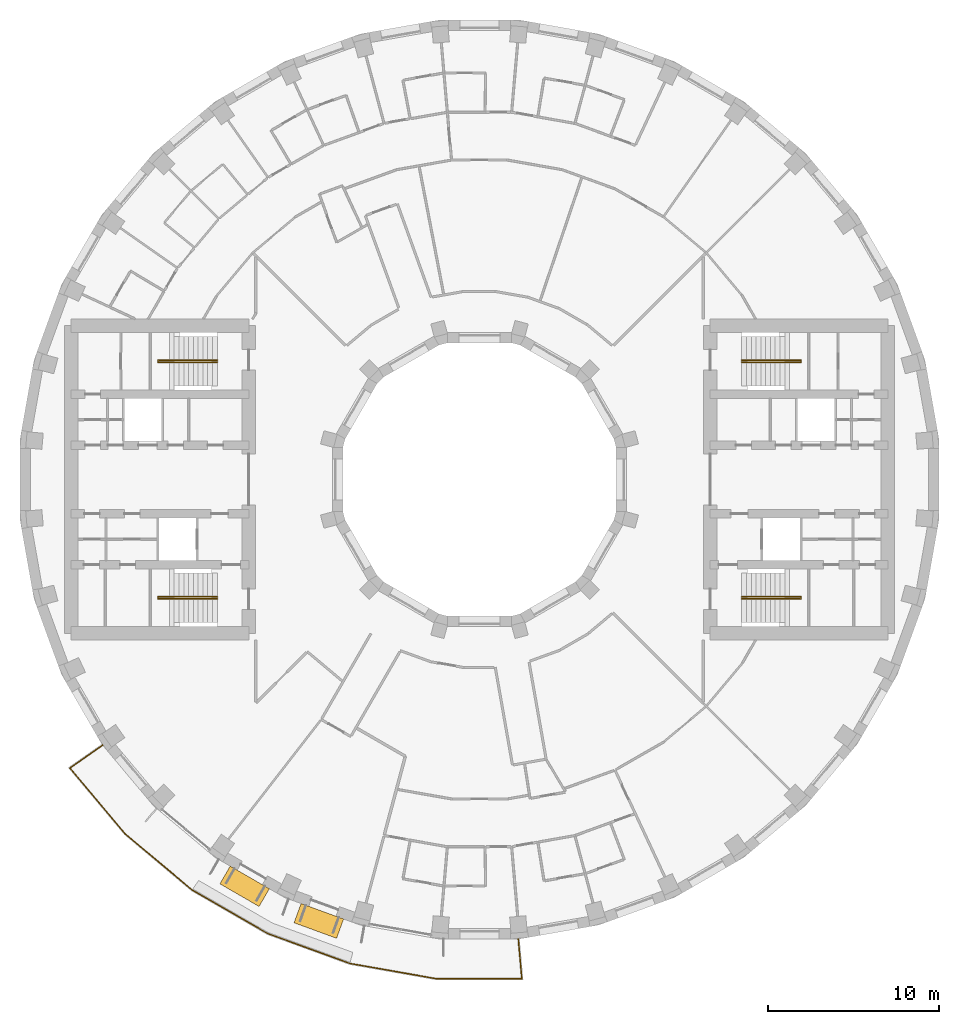
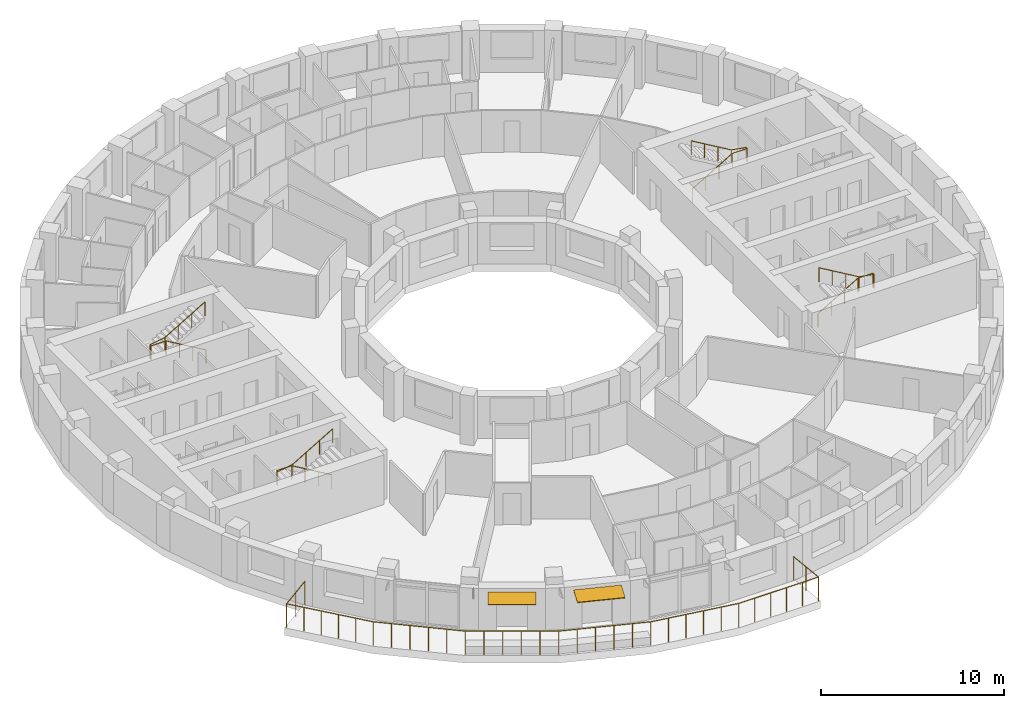
# One storey, part 14 of 14: 5 railings, 2 shading devices.
"""IFC4 building model written with IfcOpenShell, lengths in metres."""

from ifc_helpers import new_model, si_unit, direction, frame, origin, origin_2d, place, context, subcontext, project, spatial, rectangle, circle, extrude, material, layer, layer_set, type_object, element, save


model = new_model("IFC4")

# Units and contexts
model_context = context("Model", 3, precision=1e-05, world=origin(), true_north=direction((0.0, 1.0)))
body_context = subcontext(model_context, "Body", "Model", "MODEL_VIEW")
ifc_project = project(units=[si_unit("LENGTHUNIT", "METRE"), si_unit("AREAUNIT", "SQUARE_METRE"), si_unit("VOLUMEUNIT", "CUBIC_METRE"), si_unit("PLANEANGLEUNIT", "RADIAN"), si_unit("MASSUNIT", "GRAM", prefix="KILO")], contexts=[model_context])

# Site, building, storey
site_placement = place(None, origin())
site = spatial("IfcSite", under=ifc_project, at=site_placement, CompositionType="ELEMENT")
building_placement = place(site_placement, origin())
building = spatial("IfcBuilding", under=site, at=building_placement, Name="Saqina Gate Tower", CompositionType="ELEMENT")
storey_placement = place(building_placement, frame((0.0, 0.0, 131.5)))
storey = spatial("IfcBuildingStorey", under=building, at=storey_placement, Name="L37", CompositionType="ELEMENT", Elevation=131.5)

# Shading devices
ifc_material_1 = material(Name="Aluminium and fabric awning", Category="aluminium")
ifc_layer = layer(ifc_material_1, 0.050048828125)
ifc_layer_set = layer_set([ifc_layer], Name="AW-TERRACE")
shading_device_type = type_object("IfcShadingDeviceType", Name="AW-TERRACE", PredefinedType="AWNING", material=ifc_layer_set)
for number, where, z_axis, x_axis, name in (
    (1, (-13.74853515625, -23.813232421875, 2.52490234375), (0.0, 0.0, 1.0), (0.866025403784, -0.5, 0.0), "Terrace awning L37 facet 24"),
    (2, (-9.404541015625, -25.839111328125, 2.52490234375), (0.0, 0.0, 1.0), (0.939692620786, -0.342020143326, 0.0), "Terrace awning L37 facet 25"),
):
    element("IfcShadingDevice", number, at=place(storey_placement, frame(where, z_axis=z_axis, x_axis=x_axis)), inside=storey, type_object=shading_device_type, Name=name, PredefinedType="AWNING", context=body_context, shape_type="SweptSolid", body=[
        extrude(rectangle(XDim=2.647705078125, YDim=1.199951171875, at=origin_2d()), origin(), (0.0, 0.0, 1.0), 0.050048828125),
    ])

# Railings
ifc_material_2 = material(Name="Stainless steel", Category="steel")
railing_type_1 = type_object("IfcRailingType", Name="RL-TERRACE", PredefinedType="GUARDRAIL", material=ifc_material_2)
railing_1_placement = place(storey_placement, frame((-22.022216796875, -15.517578125, 0.0)))
element("IfcRailing", 3, at=railing_1_placement, inside=storey, type_object=railing_type_1, Name="Terrace guard L37", PredefinedType="GUARDRAIL", context=body_context, shape_type="SweptSolid", body=[
    extrude(circle(Radius=0.02392578125, at=origin_2d()), frame((0.0, 0.0, 1.576171875), z_axis=(-0.819111872113, -0.573633803889, 0.0), x_axis=(0.573633803889, -0.819111872113, 0.0)), (0.0, 0.0, 1.0), 2.388916015625),
    extrude(circle(Radius=0.02392578125, at=origin_2d()), frame((-1.956787109375, -1.370361328125, 1.576171875), z_axis=(0.643889225098, -0.765118726606, 0.0), x_axis=(0.765118726606, 0.643889225098, 0.0)), (0.0, 0.0, 1.0), 5.03271484375),
    extrude(circle(Radius=0.02392578125, at=origin_2d()), frame((1.28369140625, -5.220947265625, 1.576171875), z_axis=(0.766020862158, -0.642815711334, 0.0), x_axis=(0.642815711334, 0.766020862158, 0.0)), (0.0, 0.0, 1.0), 5.112548828125),
    extrude(circle(Radius=0.02392578125, at=origin_2d()), frame((5.199951171875, -8.50732421875, 1.576171875), z_axis=(0.866018575041, -0.500011827544, 0.0), x_axis=(0.500011827544, 0.866018575041, 0.0)), (0.0, 0.0, 1.0), 5.1123046875),
    extrude(circle(Radius=0.02392578125, at=origin_2d()), frame((9.627197265625, -11.0634765625, 1.576171875), z_axis=(0.939695786518, -0.342011445423, 0.0), x_axis=(0.342011445423, 0.939695786518, 0.0)), (0.0, 0.0, 1.0), 5.112548828125),
    extrude(circle(Radius=0.02392578125, at=origin_2d()), frame((14.431396484375, -12.81201171875, 1.576171875), z_axis=(0.984809508757, -0.173638220049, 0.0), x_axis=(0.173638220049, 0.984809508757, 0.0)), (0.0, 0.0, 1.0), 5.1123046875),
    extrude(circle(Radius=0.02392578125, at=origin_2d()), frame((19.466064453125, -13.69970703125, 1.576171875), z_axis=(0.999999077512, -0.001358298931, 0.0), x_axis=(0.001358298931, 0.999999077512, 0.0)), (0.0, 0.0, 1.0), 5.03271484375),
    extrude(circle(Radius=0.02392578125, at=origin_2d()), frame((24.498779296875, -13.70654296875, 1.576171875), z_axis=(-0.087180896688, 0.996192497087, 0.0), x_axis=(-0.996192497087, -0.087180896688, 0.0)), (0.0, 0.0, 1.0), 2.388671875),
    extrude(circle(Radius=0.02099609375, at=origin_2d()), origin(), (0.0, 0.0, 1.0), 1.552001953125),
    extrude(circle(Radius=0.02099609375, at=origin_2d()), frame((-0.978515625, -0.68505859375, 0.0)), (0.0, 0.0, 1.0), 1.552001953125),
    extrude(circle(Radius=0.02099609375, at=origin_2d()), frame((-1.956787109375, -1.370361328125, 0.0)), (0.0, 0.0, 1.0), 1.552001953125),
    extrude(circle(Radius=0.02099609375, at=origin_2d()), frame((-1.30859375, -2.140380859375, 0.0)), (0.0, 0.0, 1.0), 1.552001953125),
    extrude(circle(Radius=0.02099609375, at=origin_2d()), frame((-0.66064453125, -2.91064453125, 0.0)), (0.0, 0.0, 1.0), 1.552001953125),
    extrude(circle(Radius=0.02099609375, at=origin_2d()), frame((-0.012451171875, -3.6806640625, 0.0)), (0.0, 0.0, 1.0), 1.552001953125),
    extrude(circle(Radius=0.02099609375, at=origin_2d()), frame((0.635498046875, -4.450927734375, 0.0)), (0.0, 0.0, 1.0), 1.552001953125),
    extrude(circle(Radius=0.02099609375, at=origin_2d()), frame((1.28369140625, -5.220947265625, 0.0)), (0.0, 0.0, 1.0), 1.552001953125),
    extrude(circle(Radius=0.02099609375, at=origin_2d()), frame((2.06689453125, -5.878173828125, 0.0)), (0.0, 0.0, 1.0), 1.552001953125),
    extrude(circle(Radius=0.02099609375, at=origin_2d()), frame((2.85009765625, -6.535400390625, 0.0)), (0.0, 0.0, 1.0), 1.552001953125),
    extrude(circle(Radius=0.02099609375, at=origin_2d()), frame((3.633544921875, -7.19287109375, 0.0)), (0.0, 0.0, 1.0), 1.552001953125),
    extrude(circle(Radius=0.02099609375, at=origin_2d()), frame((4.416748046875, -7.85009765625, 0.0)), (0.0, 0.0, 1.0), 1.552001953125),
    extrude(circle(Radius=0.02099609375, at=origin_2d()), frame((5.199951171875, -8.50732421875, 0.0)), (0.0, 0.0, 1.0), 1.552001953125),
    extrude(circle(Radius=0.02099609375, at=origin_2d()), frame((6.08544921875, -9.0185546875, 0.0)), (0.0, 0.0, 1.0), 1.552001953125),
    extrude(circle(Radius=0.02099609375, at=origin_2d()), frame((6.970947265625, -9.52978515625, 0.0)), (0.0, 0.0, 1.0), 1.552001953125),
    extrude(circle(Radius=0.02099609375, at=origin_2d()), frame((7.856201171875, -10.041015625, 0.0)), (0.0, 0.0, 1.0), 1.552001953125),
    extrude(circle(Radius=0.02099609375, at=origin_2d()), frame((8.74169921875, -10.55224609375, 0.0)), (0.0, 0.0, 1.0), 1.552001953125),
    extrude(circle(Radius=0.02099609375, at=origin_2d()), frame((9.627197265625, -11.0634765625, 0.0)), (0.0, 0.0, 1.0), 1.552001953125),
    extrude(circle(Radius=0.02099609375, at=origin_2d()), frame((10.588134765625, -11.4130859375, 0.0)), (0.0, 0.0, 1.0), 1.552001953125),
    extrude(circle(Radius=0.02099609375, at=origin_2d()), frame((11.548828125, -11.762939453125, 0.0)), (0.0, 0.0, 1.0), 1.552001953125),
    extrude(circle(Radius=0.02099609375, at=origin_2d()), frame((12.509765625, -12.112548828125, 0.0)), (0.0, 0.0, 1.0), 1.552001953125),
    extrude(circle(Radius=0.02099609375, at=origin_2d()), frame((13.470458984375, -12.46240234375, 0.0)), (0.0, 0.0, 1.0), 1.552001953125),
    extrude(circle(Radius=0.02099609375, at=origin_2d()), frame((14.431396484375, -12.81201171875, 0.0)), (0.0, 0.0, 1.0), 1.552001953125),
    extrude(circle(Radius=0.02099609375, at=origin_2d()), frame((15.438232421875, -12.989501953125, 0.0)), (0.0, 0.0, 1.0), 1.552001953125),
    extrude(circle(Radius=0.02099609375, at=origin_2d()), frame((16.4453125, -13.1669921875, 0.0)), (0.0, 0.0, 1.0), 1.552001953125),
    extrude(circle(Radius=0.02099609375, at=origin_2d()), frame((17.4521484375, -13.3447265625, 0.0)), (0.0, 0.0, 1.0), 1.552001953125),
    extrude(circle(Radius=0.02099609375, at=origin_2d()), frame((18.459228515625, -13.522216796875, 0.0)), (0.0, 0.0, 1.0), 1.552001953125),
    extrude(circle(Radius=0.02099609375, at=origin_2d()), frame((19.466064453125, -13.69970703125, 0.0)), (0.0, 0.0, 1.0), 1.552001953125),
    extrude(circle(Radius=0.02099609375, at=origin_2d()), frame((20.47265625, -13.701171875, 0.0)), (0.0, 0.0, 1.0), 1.552001953125),
    extrude(circle(Radius=0.02099609375, at=origin_2d()), frame((21.479248046875, -13.702392578125, 0.0)), (0.0, 0.0, 1.0), 1.552001953125),
    extrude(circle(Radius=0.02099609375, at=origin_2d()), frame((22.485595703125, -13.703857421875, 0.0)), (0.0, 0.0, 1.0), 1.552001953125),
    extrude(circle(Radius=0.02099609375, at=origin_2d()), frame((23.4921875, -13.705078125, 0.0)), (0.0, 0.0, 1.0), 1.552001953125),
    extrude(circle(Radius=0.02099609375, at=origin_2d()), frame((24.498779296875, -13.70654296875, 0.0)), (0.0, 0.0, 1.0), 1.552001953125),
    extrude(circle(Radius=0.02099609375, at=origin_2d()), frame((24.39453125, -12.5166015625, 0.0)), (0.0, 0.0, 1.0), 1.552001953125),
    extrude(circle(Radius=0.02099609375, at=origin_2d()), frame((24.29052734375, -11.326904296875, 0.0)), (0.0, 0.0, 1.0), 1.552001953125),
])
ifc_material_3 = material(Name="Stainless steel", Category="steel")
railing_type_2 = type_object("IfcRailingType", Name="STAIR HANDRAIL", PredefinedType="HANDRAIL", material=ifc_material_3)
railing_2_placement = place(storey_placement, frame((15.35009765625, 6.86669921875, 0.1650390625)))
element("IfcRailing", 4, at=railing_2_placement, inside=storey, type_object=railing_type_2, Name="EXIT STAIR 1 HANDRAIL", PredefinedType="HANDRAIL", context=body_context, shape_type="SweptSolid", body=[
    extrude(circle(Radius=0.02392578125, at=origin_2d()), frame((0.0, 0.0, 0.92578125), z_axis=(0.861560626758, 0.0, 0.507654692109), x_axis=(0.0, 1.0, 0.0)), (0.0, 0.0, 1.0), 2.925048828125),
    extrude(circle(Radius=0.02392578125, at=origin_2d()), frame((2.52001953125, 0.0, 2.41064453125), z_axis=(1.0, 0.0, 0.0), x_axis=(0.0, 1.0, 0.0)), (0.0, 0.0, 1.0), 0.949951171875),
    extrude(circle(Radius=0.02392578125, at=origin_2d()), frame((3.469970703125, 0.0, 2.41064453125), z_axis=(0.0, 1.0, 0.0), x_axis=(-1.0, 0.0, 0.0)), (0.0, 0.0, 1.0), 0.11669921875),
    extrude(circle(Radius=0.02392578125, at=origin_2d()), frame((3.469970703125, 0.11669921875, 2.41064453125), z_axis=(-0.985241474778, 0.0, 0.171170197109), x_axis=(0.0, -1.0, 0.0)), (0.0, 0.0, 1.0), 0.964111328125),
    extrude(circle(Radius=0.02392578125, at=origin_2d()), frame((2.52001953125, 0.11669921875, 2.57568359375), z_axis=(-0.86152411907, 0.0, 0.507716645641), x_axis=(0.0, -1.0, 0.0)), (0.0, 0.0, 1.0), 2.925048828125),
    extrude(circle(Radius=0.02099609375, at=origin_2d()), origin(), (0.0, 0.0, 1.0), 0.90185546875),
    extrude(circle(Radius=0.02099609375, at=origin_2d()), frame((0.840087890625, 0.0, 0.494873046875)), (0.0, 0.0, 1.0), 0.90185546875),
    extrude(circle(Radius=0.02099609375, at=origin_2d()), frame((1.679931640625, 0.0, 0.989990234375)), (0.0, 0.0, 1.0), 0.90185546875),
    extrude(circle(Radius=0.02099609375, at=origin_2d()), frame((2.52001953125, 0.0, 1.48486328125)), (0.0, 0.0, 1.0), 0.90185546875),
    extrude(circle(Radius=0.02099609375, at=origin_2d()), frame((3.469970703125, 0.0, 1.48486328125)), (0.0, 0.0, 1.0), 0.90185546875),
    extrude(circle(Radius=0.02099609375, at=origin_2d()), frame((3.469970703125, 0.11669921875, 1.48486328125)), (0.0, 0.0, 1.0), 0.90185546875),
    extrude(circle(Radius=0.02099609375, at=origin_2d()), frame((2.52001953125, 0.11669921875, 1.64990234375)), (0.0, 0.0, 1.0), 0.90185546875),
    extrude(circle(Radius=0.02099609375, at=origin_2d()), frame((1.679931640625, 0.11669921875, 2.14501953125)), (0.0, 0.0, 1.0), 0.90185546875),
    extrude(circle(Radius=0.02099609375, at=origin_2d()), frame((0.840087890625, 0.11669921875, 2.639892578125)), (0.0, 0.0, 1.0), 0.90185546875),
    extrude(circle(Radius=0.02099609375, at=origin_2d()), frame((0.0, 0.11669921875, 3.135009765625)), (0.0, 0.0, 1.0), 0.90185546875),
])
railing_3_placement = place(storey_placement, frame((15.35009765625, -6.86669921875, 0.1650390625)))
element("IfcRailing", 5, at=railing_3_placement, inside=storey, type_object=railing_type_2, Name="EXIT STAIR 2 HANDRAIL", PredefinedType="HANDRAIL", context=body_context, shape_type="SweptSolid", body=[
    extrude(circle(Radius=0.02392578125, at=origin_2d()), frame((0.0, 0.0, 0.92578125), z_axis=(0.861560626758, 0.0, 0.507654692109), x_axis=(0.0, 1.0, 0.0)), (0.0, 0.0, 1.0), 2.925048828125),
    extrude(circle(Radius=0.02392578125, at=origin_2d()), frame((2.52001953125, 0.0, 2.41064453125), z_axis=(1.0, 0.0, 0.0), x_axis=(0.0, 1.0, 0.0)), (0.0, 0.0, 1.0), 0.949951171875),
    extrude(circle(Radius=0.02392578125, at=origin_2d()), frame((3.469970703125, 0.0, 2.41064453125), z_axis=(0.0, -1.0, 0.0), x_axis=(1.0, 0.0, 0.0)), (0.0, 0.0, 1.0), 0.11669921875),
    extrude(circle(Radius=0.02392578125, at=origin_2d()), frame((3.469970703125, -0.11669921875, 2.41064453125), z_axis=(-0.985241474778, 0.0, 0.171170197109), x_axis=(0.0, -1.0, 0.0)), (0.0, 0.0, 1.0), 0.964111328125),
    extrude(circle(Radius=0.02392578125, at=origin_2d()), frame((2.52001953125, -0.11669921875, 2.57568359375), z_axis=(-0.86152411907, 0.0, 0.507716645641), x_axis=(0.0, -1.0, 0.0)), (0.0, 0.0, 1.0), 2.925048828125),
    extrude(circle(Radius=0.02099609375, at=origin_2d()), origin(), (0.0, 0.0, 1.0), 0.90185546875),
    extrude(circle(Radius=0.02099609375, at=origin_2d()), frame((0.840087890625, 0.0, 0.494873046875)), (0.0, 0.0, 1.0), 0.90185546875),
    extrude(circle(Radius=0.02099609375, at=origin_2d()), frame((1.679931640625, 0.0, 0.989990234375)), (0.0, 0.0, 1.0), 0.90185546875),
    extrude(circle(Radius=0.02099609375, at=origin_2d()), frame((2.52001953125, 0.0, 1.48486328125)), (0.0, 0.0, 1.0), 0.90185546875),
    extrude(circle(Radius=0.02099609375, at=origin_2d()), frame((3.469970703125, 0.0, 1.48486328125)), (0.0, 0.0, 1.0), 0.90185546875),
    extrude(circle(Radius=0.02099609375, at=origin_2d()), frame((3.469970703125, -0.11669921875, 1.48486328125)), (0.0, 0.0, 1.0), 0.90185546875),
    extrude(circle(Radius=0.02099609375, at=origin_2d()), frame((2.52001953125, -0.11669921875, 1.64990234375)), (0.0, 0.0, 1.0), 0.90185546875),
    extrude(circle(Radius=0.02099609375, at=origin_2d()), frame((1.679931640625, -0.11669921875, 2.14501953125)), (0.0, 0.0, 1.0), 0.90185546875),
    extrude(circle(Radius=0.02099609375, at=origin_2d()), frame((0.840087890625, -0.11669921875, 2.639892578125)), (0.0, 0.0, 1.0), 0.90185546875),
    extrude(circle(Radius=0.02099609375, at=origin_2d()), frame((0.0, -0.11669921875, 3.135009765625)), (0.0, 0.0, 1.0), 0.90185546875),
])
railing_4_placement = place(storey_placement, frame((-15.35009765625, 6.86669921875, 0.1650390625)))
element("IfcRailing", 6, at=railing_4_placement, inside=storey, type_object=railing_type_2, Name="EXIT STAIR 3 HANDRAIL", PredefinedType="HANDRAIL", context=body_context, shape_type="SweptSolid", body=[
    extrude(circle(Radius=0.02392578125, at=origin_2d()), frame((0.0, 0.0, 0.92578125), z_axis=(-0.861560626758, 0.0, 0.507654692109), x_axis=(0.0, -1.0, 0.0)), (0.0, 0.0, 1.0), 2.925048828125),
    extrude(circle(Radius=0.02392578125, at=origin_2d()), frame((-2.52001953125, 0.0, 2.41064453125), z_axis=(-1.0, 0.0, 0.0), x_axis=(0.0, -1.0, 0.0)), (0.0, 0.0, 1.0), 0.949951171875),
    extrude(circle(Radius=0.02392578125, at=origin_2d()), frame((-3.469970703125, 0.0, 2.41064453125), z_axis=(0.0, 1.0, 0.0), x_axis=(-1.0, 0.0, 0.0)), (0.0, 0.0, 1.0), 0.11669921875),
    extrude(circle(Radius=0.02392578125, at=origin_2d()), frame((-3.469970703125, 0.11669921875, 2.41064453125), z_axis=(0.985241474778, 0.0, 0.171170197109), x_axis=(0.0, 1.0, 0.0)), (0.0, 0.0, 1.0), 0.964111328125),
    extrude(circle(Radius=0.02392578125, at=origin_2d()), frame((-2.52001953125, 0.11669921875, 2.57568359375), z_axis=(0.86152411907, 0.0, 0.507716645641), x_axis=(0.0, 1.0, 0.0)), (0.0, 0.0, 1.0), 2.925048828125),
    extrude(circle(Radius=0.02099609375, at=origin_2d()), origin(), (0.0, 0.0, 1.0), 0.90185546875),
    extrude(circle(Radius=0.02099609375, at=origin_2d()), frame((-0.840087890625, 0.0, 0.494873046875)), (0.0, 0.0, 1.0), 0.90185546875),
    extrude(circle(Radius=0.02099609375, at=origin_2d()), frame((-1.679931640625, 0.0, 0.989990234375)), (0.0, 0.0, 1.0), 0.90185546875),
    extrude(circle(Radius=0.02099609375, at=origin_2d()), frame((-2.52001953125, 0.0, 1.48486328125)), (0.0, 0.0, 1.0), 0.90185546875),
    extrude(circle(Radius=0.02099609375, at=origin_2d()), frame((-3.469970703125, 0.0, 1.48486328125)), (0.0, 0.0, 1.0), 0.90185546875),
    extrude(circle(Radius=0.02099609375, at=origin_2d()), frame((-3.469970703125, 0.11669921875, 1.48486328125)), (0.0, 0.0, 1.0), 0.90185546875),
    extrude(circle(Radius=0.02099609375, at=origin_2d()), frame((-2.52001953125, 0.11669921875, 1.64990234375)), (0.0, 0.0, 1.0), 0.90185546875),
    extrude(circle(Radius=0.02099609375, at=origin_2d()), frame((-1.679931640625, 0.11669921875, 2.14501953125)), (0.0, 0.0, 1.0), 0.90185546875),
    extrude(circle(Radius=0.02099609375, at=origin_2d()), frame((-0.840087890625, 0.11669921875, 2.639892578125)), (0.0, 0.0, 1.0), 0.90185546875),
    extrude(circle(Radius=0.02099609375, at=origin_2d()), frame((0.0, 0.11669921875, 3.135009765625)), (0.0, 0.0, 1.0), 0.90185546875),
])
railing_5_placement = place(storey_placement, frame((-15.35009765625, -6.86669921875, 0.1650390625)))
element("IfcRailing", 7, at=railing_5_placement, inside=storey, type_object=railing_type_2, Name="EXIT STAIR 4 HANDRAIL", PredefinedType="HANDRAIL", context=body_context, shape_type="SweptSolid", body=[
    extrude(circle(Radius=0.02392578125, at=origin_2d()), frame((0.0, 0.0, 0.92578125), z_axis=(-0.861560626758, 0.0, 0.507654692109), x_axis=(0.0, -1.0, 0.0)), (0.0, 0.0, 1.0), 2.925048828125),
    extrude(circle(Radius=0.02392578125, at=origin_2d()), frame((-2.52001953125, 0.0, 2.41064453125), z_axis=(-1.0, 0.0, 0.0), x_axis=(0.0, -1.0, 0.0)), (0.0, 0.0, 1.0), 0.949951171875),
    extrude(circle(Radius=0.02392578125, at=origin_2d()), frame((-3.469970703125, 0.0, 2.41064453125), z_axis=(0.0, -1.0, 0.0), x_axis=(1.0, 0.0, 0.0)), (0.0, 0.0, 1.0), 0.11669921875),
    extrude(circle(Radius=0.02392578125, at=origin_2d()), frame((-3.469970703125, -0.11669921875, 2.41064453125), z_axis=(0.985241474778, 0.0, 0.171170197109), x_axis=(0.0, 1.0, 0.0)), (0.0, 0.0, 1.0), 0.964111328125),
    extrude(circle(Radius=0.02392578125, at=origin_2d()), frame((-2.52001953125, -0.11669921875, 2.57568359375), z_axis=(0.86152411907, 0.0, 0.507716645641), x_axis=(0.0, 1.0, 0.0)), (0.0, 0.0, 1.0), 2.925048828125),
    extrude(circle(Radius=0.02099609375, at=origin_2d()), origin(), (0.0, 0.0, 1.0), 0.90185546875),
    extrude(circle(Radius=0.02099609375, at=origin_2d()), frame((-0.840087890625, 0.0, 0.494873046875)), (0.0, 0.0, 1.0), 0.90185546875),
    extrude(circle(Radius=0.02099609375, at=origin_2d()), frame((-1.679931640625, 0.0, 0.989990234375)), (0.0, 0.0, 1.0), 0.90185546875),
    extrude(circle(Radius=0.02099609375, at=origin_2d()), frame((-2.52001953125, 0.0, 1.48486328125)), (0.0, 0.0, 1.0), 0.90185546875),
    extrude(circle(Radius=0.02099609375, at=origin_2d()), frame((-3.469970703125, 0.0, 1.48486328125)), (0.0, 0.0, 1.0), 0.90185546875),
    extrude(circle(Radius=0.02099609375, at=origin_2d()), frame((-3.469970703125, -0.11669921875, 1.48486328125)), (0.0, 0.0, 1.0), 0.90185546875),
    extrude(circle(Radius=0.02099609375, at=origin_2d()), frame((-2.52001953125, -0.11669921875, 1.64990234375)), (0.0, 0.0, 1.0), 0.90185546875),
    extrude(circle(Radius=0.02099609375, at=origin_2d()), frame((-1.679931640625, -0.11669921875, 2.14501953125)), (0.0, 0.0, 1.0), 0.90185546875),
    extrude(circle(Radius=0.02099609375, at=origin_2d()), frame((-0.840087890625, -0.11669921875, 2.639892578125)), (0.0, 0.0, 1.0), 0.90185546875),
    extrude(circle(Radius=0.02099609375, at=origin_2d()), frame((0.0, -0.11669921875, 3.135009765625)), (0.0, 0.0, 1.0), 0.90185546875),
])

save(model, "model.ifc")
